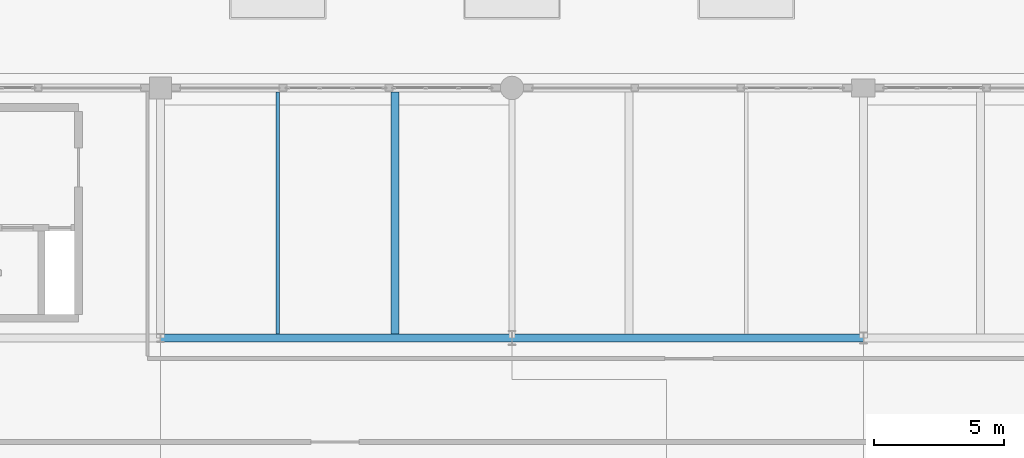
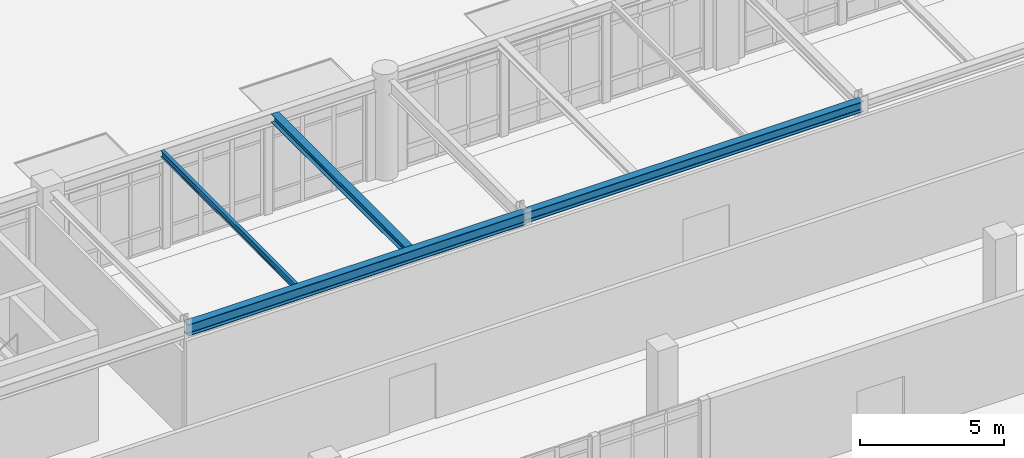
# One storey, part 22 of 55: 4 beams.
"""IFC4 building model written with IfcOpenShell, lengths in metres."""

from ifc_helpers import new_model, si_unit, direction, frame, origin, origin_2d, place, context, subcontext, project, spatial, i_section, extrude, material, material_profile, profile_set, type_object, element, save


model = new_model("IFC4")

# Units and contexts
model_context = context("Model", 3, precision=1e-05, world=origin(), true_north=direction((0.0, 1.0)))
body_context = subcontext(model_context, "Body", "Model", "MODEL_VIEW")
ifc_project = project(units=[si_unit("LENGTHUNIT", "METRE"), si_unit("AREAUNIT", "SQUARE_METRE"), si_unit("VOLUMEUNIT", "CUBIC_METRE"), si_unit("PLANEANGLEUNIT", "RADIAN"), si_unit("MASSUNIT", "GRAM", prefix="KILO")], contexts=[model_context])

# Site, building, storey
site_placement = place(None, origin())
site = spatial("IfcSite", under=ifc_project, at=site_placement, CompositionType="ELEMENT")
building_placement = place(site_placement, origin())
building = spatial("IfcBuilding", under=site, at=building_placement, Name="Fikremerkos Civic Library", CompositionType="ELEMENT")
storey_placement = place(building_placement, frame((0.0, 0.0, 18.89990234375)))
storey = spatial("IfcBuildingStorey", under=building, at=storey_placement, Name="L04", CompositionType="ELEMENT", Elevation=18.89990234375)

# Beams
ifc_material = material(Name="Steel S355", Category="steel")
ifc_material_profile_1 = material_profile(ifc_material, i_section(OverallWidth=0.135009765625, OverallDepth=0.27001953125, WebThickness=0.006591796875, FlangeThickness=0.01025390625, FilletRadius=0.014892578125, at=origin_2d()), Name="IPE 270")
ifc_profile_set_1 = profile_set([ifc_material_profile_1], Name="Steel S355")
beam_type_1 = type_object("IfcBeamType", Name="Floor joist JS-12 IPE 270", PredefinedType="JOIST", material=ifc_profile_set_1)
beam_1_placement = place(storey_placement, frame((64.199951171875, 21.75, 4.10498046875), z_axis=(0.0, 1.0, 0.0), x_axis=(-1.0, 0.0, 0.0)))
element("IfcBeam", 1, at=beam_1_placement, inside=storey, type_object=beam_type_1, Name="Floor joist JS-12 L04 #586", PredefinedType="JOIST", context=body_context, shape_type="SweptSolid", body=[
    extrude(i_section(OverallWidth=0.135009765625, OverallDepth=0.27001953125, WebThickness=0.006591796875, FlangeThickness=0.01025390625, FilletRadius=0.014892578125, at=origin_2d()), origin(), (0.0, 0.0, 1.0), 9.300048828125),
])
ifc_material_profile_2 = material_profile(ifc_material, i_section(OverallWidth=0.300048828125, OverallDepth=0.35009765625, WebThickness=0.010009765625, FlangeThickness=0.017578125, FilletRadius=0.027099609375, at=origin_2d()), Name="HEA 360")
ifc_profile_set_2 = profile_set([ifc_material_profile_2], Name="Steel S355")
beam_type_2 = type_object("IfcBeamType", Name="Floor joist JS-13 HEA 360", PredefinedType="JOIST", material=ifc_profile_set_2)
beam_2_placement = place(storey_placement, frame((68.699951171875, 21.75, 4.065185546875), z_axis=(0.0, 1.0, 0.0), x_axis=(-1.0, 0.0, 0.0)))
element("IfcBeam", 2, at=beam_2_placement, inside=storey, type_object=beam_type_2, Name="Floor joist JS-13 L04 #587", PredefinedType="JOIST", context=body_context, shape_type="SweptSolid", body=[
    extrude(i_section(OverallWidth=0.300048828125, OverallDepth=0.35009765625, WebThickness=0.010009765625, FlangeThickness=0.017578125, FilletRadius=0.027099609375, at=origin_2d()), origin(), (0.0, 0.0, 1.0), 9.300048828125),
])
ifc_material_profile_3 = material_profile(ifc_material, i_section(OverallWidth=0.300048828125, OverallDepth=0.489990234375, WebThickness=0.011962890625, FlangeThickness=0.02294921875, FilletRadius=0.027099609375, at=origin_2d()), Name="HEA 500")
ifc_profile_set_3 = profile_set([ifc_material_profile_3], Name="Steel S355")
beam_type_3 = type_object("IfcBeamType", Name="Primary girder BM-17 HEA 500", PredefinedType="BEAM", material=ifc_profile_set_3)
beam_3_placement = place(storey_placement, frame((59.699951171875, 21.60009765625, 3.9951171875), z_axis=(1.0, 0.0, 0.0), x_axis=(0.0, 1.0, 0.0)))
element("IfcBeam", 3, at=beam_3_placement, inside=storey, type_object=beam_type_3, Name="Primary girder BM-17 L04 grid F", PredefinedType="BEAM", context=body_context, shape_type="SweptSolid", body=[
    extrude(i_section(OverallWidth=0.300048828125, OverallDepth=0.489990234375, WebThickness=0.011962890625, FlangeThickness=0.02294921875, FilletRadius=0.027099609375, at=origin_2d()), origin(), (0.0, 0.0, 1.0), 13.5),
])
ifc_material_profile_4 = material_profile(ifc_material, i_section(OverallWidth=0.300048828125, OverallDepth=0.43994140625, WebThickness=0.011474609375, FlangeThickness=0.02099609375, FilletRadius=0.027099609375, at=origin_2d()), Name="HEA 450")
ifc_profile_set_4 = profile_set([ifc_material_profile_4], Name="Steel S355")
beam_type_4 = type_object("IfcBeamType", Name="Primary girder BM-18 HEA 450", PredefinedType="BEAM", material=ifc_profile_set_4)
beam_4_placement = place(storey_placement, frame((73.199951171875, 21.60009765625, 4.02001953125), z_axis=(1.0, 0.0, 0.0), x_axis=(0.0, 1.0, 0.0)))
element("IfcBeam", 4, at=beam_4_placement, inside=storey, type_object=beam_type_4, Name="Primary girder BM-18 L04 grid F", PredefinedType="BEAM", context=body_context, shape_type="SweptSolid", body=[
    extrude(i_section(OverallWidth=0.300048828125, OverallDepth=0.43994140625, WebThickness=0.011474609375, FlangeThickness=0.02099609375, FilletRadius=0.027099609375, at=origin_2d()), origin(), (0.0, 0.0, 1.0), 13.5),
])

save(model, "model.ifc")
